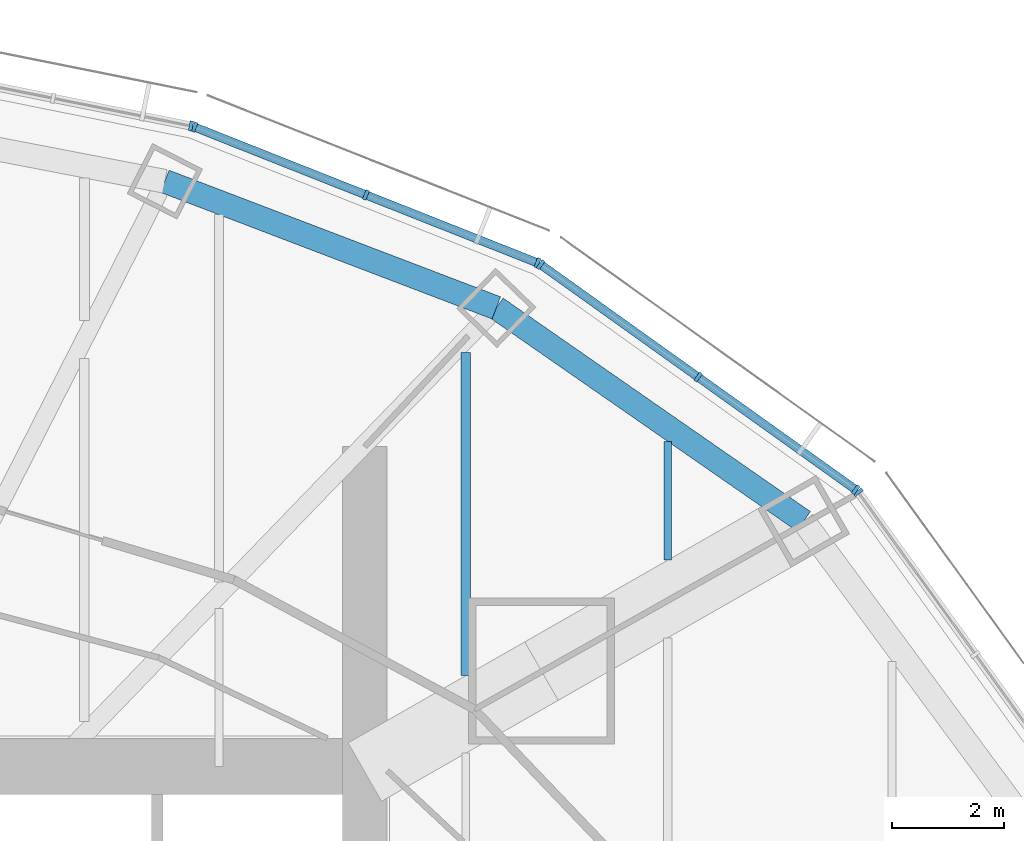
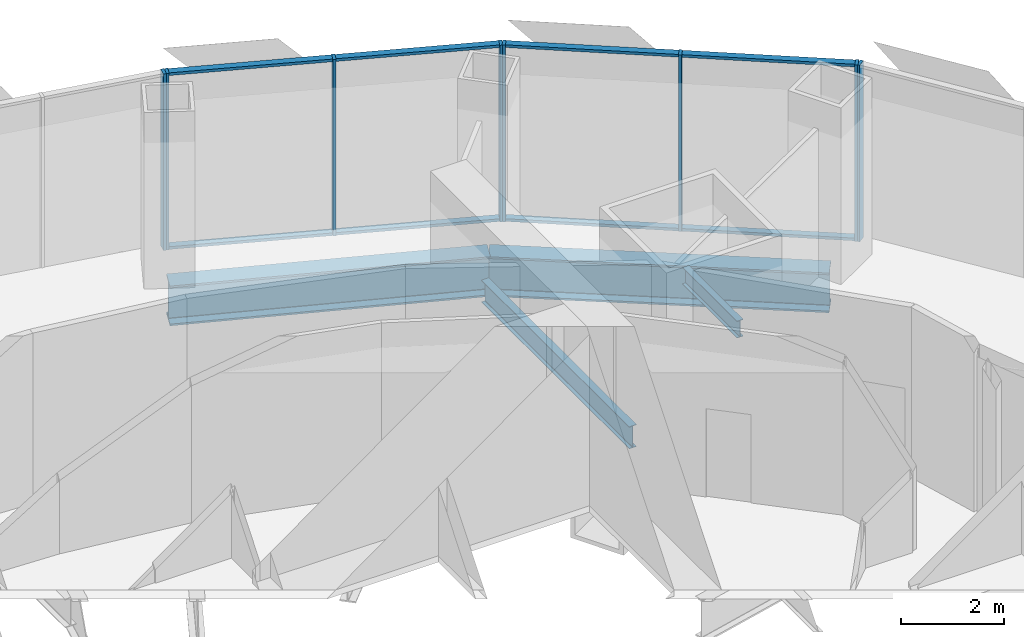
# One storey, part 9 of 17: 16 members, 4 beams, 4 elements without a shape of their own.
"""IFC4 building model written with IfcOpenShell, lengths in metres."""

from ifc_helpers import new_model, si_unit, direction, frame, origin, origin_2d, place, context, subcontext, project, spatial, rectangle, i_section, extrude, material, material_profile, profile_set, type_object, element, aggregate, save


model = new_model("IFC4")

# Units and contexts
model_context = context("Model", 3, precision=1e-05, world=origin(), true_north=direction((0.0, 1.0)))
body_context = subcontext(model_context, "Body", "Model", "MODEL_VIEW")
ifc_project = project(units=[si_unit("LENGTHUNIT", "METRE"), si_unit("AREAUNIT", "SQUARE_METRE"), si_unit("VOLUMEUNIT", "CUBIC_METRE"), si_unit("PLANEANGLEUNIT", "RADIAN"), si_unit("MASSUNIT", "GRAM", prefix="KILO")], contexts=[model_context])

# Site, building, storey
site_placement = place(None, origin())
site = spatial("IfcSite", under=ifc_project, at=site_placement, CompositionType="ELEMENT")
building_placement = place(site_placement, origin())
building = spatial("IfcBuilding", under=site, at=building_placement, Name="Lantaw Convention Tower", CompositionType="ELEMENT")
storey_placement = place(building_placement, frame((0.0, 0.0, 203.199951171875)))
storey = spatial("IfcBuildingStorey", under=building, at=storey_placement, Name="L47", CompositionType="ELEMENT", Elevation=203.199951171875)

# Beams
ifc_material_1 = material(Name="Steel ASTM A992", Category="steel")
ifc_material_profile_1 = material_profile(ifc_material_1, i_section(OverallWidth=0.424072265625, OverallDepth=0.947509765625, WebThickness=0.02392578125, FlangeThickness=0.042724609375, FilletRadius=0.012451171875, at=origin_2d()), Name="W36X302")
ifc_profile_set_1 = profile_set([ifc_material_profile_1], Name="Steel ASTM A992")
beam_type_1 = type_object("IfcBeamType", Name="Beam BC W36X302", PredefinedType="SPANDREL", material=ifc_profile_set_1)
beam_1_placement = place(storey_placement, frame((20.423095703125, 11.67041015625, -0.623779296875), z_axis=(-0.82135329406, 0.570419815869, 0.0), x_axis=(-0.570419815869, -0.82135329406, 0.0)))
element("IfcBeam", 1, at=beam_1_placement, inside=storey, type_object=beam_type_1, Name="Belt truss chord 3", PredefinedType="SPANDREL", context=body_context, shape_type="SweptSolid", body=[
    extrude(i_section(OverallWidth=0.424072265625, OverallDepth=0.947509765625, WebThickness=0.02392578125, FlangeThickness=0.042724609375, FilletRadius=0.012451171875, at=origin_2d()), origin(), (0.0, 0.0, 1.0), 6.67041015625),
])
beam_2_placement = place(storey_placement, frame((14.9443359375, 15.475341796875, -0.623779296875), z_axis=(-0.934234988, 0.356658081637, 0.0), x_axis=(-0.356658081637, -0.934234988, 0.0)))
element("IfcBeam", 2, at=beam_2_placement, inside=storey, type_object=beam_type_1, Name="Belt truss chord 4", PredefinedType="SPANDREL", context=body_context, shape_type="SweptSolid", body=[
    extrude(i_section(OverallWidth=0.424072265625, OverallDepth=0.947509765625, WebThickness=0.02392578125, FlangeThickness=0.042724609375, FilletRadius=0.012451171875, at=origin_2d()), origin(), (0.0, 0.0, 1.0), 6.32568359375),
])
ifc_material_profile_2 = material_profile(ifc_material_1, i_section(OverallWidth=0.140380859375, OverallDepth=0.40380859375, WebThickness=0.007080078125, FlangeThickness=0.01123046875, FilletRadius=0.01025390625, at=origin_2d()), Name="W16X31")
ifc_profile_set_2 = profile_set([ifc_material_profile_2], Name="Steel ASTM A992")
beam_type_2 = type_object("IfcBeamType", Name="Beam J W16X31", PredefinedType="JOIST", material=ifc_profile_set_2)
beam_3_placement = place(storey_placement, frame((18.0, 10.976806640625, -0.351806640625), z_axis=(0.0, 1.0, 0.0), x_axis=(-1.0, 0.0, 0.0)))
element("IfcBeam", 3, at=beam_3_placement, inside=storey, type_object=beam_type_2, Name="Floor joist", PredefinedType="JOIST", context=body_context, shape_type="SweptSolid", body=[
    extrude(i_section(OverallWidth=0.140380859375, OverallDepth=0.40380859375, WebThickness=0.007080078125, FlangeThickness=0.01123046875, FilletRadius=0.01025390625, at=origin_2d()), origin(), (0.0, 0.0, 1.0), 2.1181640625),
])
ifc_material_profile_3 = material_profile(ifc_material_1, i_section(OverallWidth=0.1650390625, OverallDepth=0.52587890625, WebThickness=0.0087890625, FlangeThickness=0.011474609375, FilletRadius=0.0126953125, at=origin_2d()), Name="W21X44")
ifc_profile_set_3 = profile_set([ifc_material_profile_3], Name="Steel ASTM A992")
beam_type_3 = type_object("IfcBeamType", Name="Beam J W21X44", PredefinedType="JOIST", material=ifc_profile_set_3)
beam_4_placement = place(storey_placement, frame((14.39990234375, 8.919677734375, -0.412841796875), z_axis=(0.0, 1.0, 0.0), x_axis=(-1.0, 0.0, 0.0)))
element("IfcBeam", 4, at=beam_4_placement, inside=storey, type_object=beam_type_3, Name="Floor joist", PredefinedType="JOIST", context=body_context, shape_type="SweptSolid", body=[
    extrude(i_section(OverallWidth=0.1650390625, OverallDepth=0.52587890625, WebThickness=0.0087890625, FlangeThickness=0.011474609375, FilletRadius=0.0126953125, at=origin_2d()), origin(), (0.0, 0.0, 1.0), 5.756103515625),
])

# Curtain wall, member
ifc_material_2 = material(Name="Aluminium framed curtain wall", Category="aluminium")
curtain_wall_type = type_object("IfcCurtainWallType", Name="Office curtain wall high rise, pale aluminium", PredefinedType="USERDEFINED", material=ifc_material_2)
curtain_wall_1_placement = place(storey_placement, origin())
curtain_wall_1 = element("IfcCurtainWall", 5, at=curtain_wall_1_placement, inside=storey, type_object=curtain_wall_type, Name="Office curtain wall high rise, pale aluminium L47", ObjectType="UNITISED CURTAIN WALL", PredefinedType="USERDEFINED")
ifc_material_3 = material(Name="Aluminium 6063-T6", Category="aluminium")
ifc_material_profile_4 = material_profile(ifc_material_3, rectangle(XDim=0.179931640625, YDim=0.06494140625, at=origin_2d()), Name="CW-O2 mullion 65x180")
ifc_profile_set_4 = profile_set([ifc_material_profile_4], Name="Aluminium 6063-T6")
member_type_1 = type_object("IfcMemberType", Name="CW-O2 mullion 65x180", PredefinedType="MULLION", material=ifc_profile_set_4)
member_1_placement = place(storey_placement, frame((21.397216796875, 12.189697265625, -0.14990234375), z_axis=(0.0, 0.0, 1.0), x_axis=(-0.810919559405, -0.585157643865, 0.0)))
member_1 = element("IfcMember", 6, at=member_1_placement, type_object=member_type_1, Name="CW-O2 mullion 3", PredefinedType="MULLION", context=body_context, shape_type="SweptSolid", body=[
    extrude(rectangle(XDim=0.179931640625, YDim=0.06494140625, at=origin_2d()), origin(), (0.0, 0.0, 1.0), 4.199951171875),
])
aggregate(curtain_wall_1, [member_1])

# Curtain wall, members
curtain_wall_2_placement = place(storey_placement, origin())
curtain_wall_2 = element("IfcCurtainWall", 7, at=curtain_wall_2_placement, inside=storey, type_object=curtain_wall_type, Name="Office curtain wall high rise, pale aluminium L47", ObjectType="UNITISED CURTAIN WALL", PredefinedType="USERDEFINED")
member_2_placement = place(storey_placement, frame((21.3515625, 12.23486328125, -0.14990234375), z_axis=(0.0, 0.0, 1.0), x_axis=(-0.581323487281, -0.813672540482, 0.0)))
member_2 = element("IfcMember", 8, at=member_2_placement, type_object=member_type_1, Name="CW-O2 mullion 1", PredefinedType="MULLION", context=body_context, shape_type="SweptSolid", body=[
    extrude(rectangle(XDim=0.179931640625, YDim=0.06494140625, at=origin_2d()), origin(), (0.0, 0.0, 1.0), 4.199951171875),
])
member_3_placement = place(storey_placement, frame((18.543212890625, 14.241455078125, -0.14990234375), z_axis=(0.0, 0.0, 1.0), x_axis=(-0.581323487281, -0.813672540482, 0.0)))
member_3 = element("IfcMember", 9, at=member_3_placement, type_object=member_type_1, Name="CW-O2 mullion 2", PredefinedType="MULLION", context=body_context, shape_type="SweptSolid", body=[
    extrude(rectangle(XDim=0.179931640625, YDim=0.06494140625, at=origin_2d()), origin(), (0.0, 0.0, 1.0), 4.199951171875),
])
member_4_placement = place(storey_placement, frame((15.73486328125, 16.247802734375, -0.14990234375), z_axis=(0.0, 0.0, 1.0), x_axis=(-0.581323487281, -0.813672540482, 0.0)))
member_4 = element("IfcMember", 10, at=member_4_placement, type_object=member_type_1, Name="CW-O2 mullion 3", PredefinedType="MULLION", context=body_context, shape_type="SweptSolid", body=[
    extrude(rectangle(XDim=0.179931640625, YDim=0.06494140625, at=origin_2d()), origin(), (0.0, 0.0, 1.0), 4.199951171875),
])

curtain_wall_3_placement = place(storey_placement, origin())
curtain_wall_3 = element("IfcCurtainWall", 11, at=curtain_wall_3_placement, inside=storey, type_object=curtain_wall_type, Name="Office curtain wall high rise, pale aluminium L47", ObjectType="UNITISED CURTAIN WALL", PredefinedType="USERDEFINED")
member_5_placement = place(storey_placement, frame((15.67822265625, 16.278564453125, -0.14990234375), z_axis=(0.0, 0.0, 1.0), x_axis=(-0.368162315252, -0.929761533743, 0.0)))
member_5 = element("IfcMember", 12, at=member_5_placement, type_object=member_type_1, Name="CW-O2 mullion 1", PredefinedType="MULLION", context=body_context, shape_type="SweptSolid", body=[
    extrude(rectangle(XDim=0.179931640625, YDim=0.06494140625, at=origin_2d()), origin(), (0.0, 0.0, 1.0), 4.199951171875),
])
member_6_placement = place(storey_placement, frame((12.621337890625, 17.4892578125, -0.14990234375), z_axis=(0.0, 0.0, 1.0), x_axis=(-0.368162315252, -0.929761533743, 0.0)))
member_6 = element("IfcMember", 13, at=member_6_placement, type_object=member_type_1, Name="CW-O2 mullion 2", PredefinedType="MULLION", context=body_context, shape_type="SweptSolid", body=[
    extrude(rectangle(XDim=0.179931640625, YDim=0.06494140625, at=origin_2d()), origin(), (0.0, 0.0, 1.0), 4.199951171875),
])
member_7_placement = place(storey_placement, frame((9.564208984375, 18.69970703125, -0.14990234375), z_axis=(0.0, 0.0, 1.0), x_axis=(-0.368162315252, -0.929761533743, 0.0)))
member_7 = element("IfcMember", 14, at=member_7_placement, type_object=member_type_1, Name="CW-O2 mullion 3", PredefinedType="MULLION", context=body_context, shape_type="SweptSolid", body=[
    extrude(rectangle(XDim=0.179931640625, YDim=0.06494140625, at=origin_2d()), origin(), (0.0, 0.0, 1.0), 4.199951171875),
])

# Curtain wall, member
curtain_wall_4_placement = place(storey_placement, origin())
curtain_wall_4 = element("IfcCurtainWall", 15, at=curtain_wall_4_placement, inside=storey, type_object=curtain_wall_type, Name="Office curtain wall high rise, pale aluminium L47", ObjectType="UNITISED CURTAIN WALL", PredefinedType="USERDEFINED")
member_8_placement = place(storey_placement, frame((9.502197265625, 18.718017578125, -0.14990234375), z_axis=(0.0, 0.0, 1.0), x_axis=(-0.197183095987, -0.980366679695, 0.0)))
member_8 = element("IfcMember", 16, at=member_8_placement, type_object=member_type_1, Name="CW-O2 mullion 1", PredefinedType="MULLION", context=body_context, shape_type="SweptSolid", body=[
    extrude(rectangle(XDim=0.179931640625, YDim=0.06494140625, at=origin_2d()), origin(), (0.0, 0.0, 1.0), 4.199951171875),
])
aggregate(curtain_wall_4, [member_8])

# Member
ifc_material_profile_5 = material_profile(ifc_material_3, rectangle(XDim=0.14990234375, YDim=0.06494140625, at=origin_2d()), Name="CW-O2 transom 65x150")
ifc_profile_set_5 = profile_set([ifc_material_profile_5], Name="Aluminium 6063-T6")
member_type_2 = type_object("IfcMemberType", Name="CW-O2 transom 65x150", PredefinedType="USERDEFINED", material=ifc_profile_set_5)
member_9_placement = place(storey_placement, frame((21.3251953125, 12.25390625, -0.117431640625), z_axis=(-0.813679882592, 0.581313210468, 0.0), x_axis=(-0.581313210468, -0.813679882592, 0.0)))
member_9 = element("IfcMember", 17, at=member_9_placement, type_object=member_type_2, Name="CW-O2 transom 1.1", ObjectType="TRANSOM", PredefinedType="USERDEFINED", context=body_context, shape_type="SweptSolid", body=[
    extrude(rectangle(XDim=0.14990234375, YDim=0.06494140625, at=origin_2d()), origin(), (0.0, 0.0, 1.0), 3.38623046875),
])

member_10_placement = place(storey_placement, frame((21.3251953125, 12.25390625, 4.017578125), z_axis=(-0.813679882592, 0.581313210468, 0.0), x_axis=(-0.581313210468, -0.813679882592, 0.0)))
member_10 = element("IfcMember", 18, at=member_10_placement, type_object=member_type_2, Name="CW-O2 transom 1.2", ObjectType="TRANSOM", PredefinedType="USERDEFINED", context=body_context, shape_type="SweptSolid", body=[
    extrude(rectangle(XDim=0.14990234375, YDim=0.06494140625, at=origin_2d()), origin(), (0.0, 0.0, 1.0), 3.38623046875),
])

member_11_placement = place(storey_placement, frame((18.516845703125, 14.26025390625, -0.117431640625), z_axis=(-0.813645780821, 0.581360940683, 0.0), x_axis=(-0.581360940683, -0.813645780821, 0.0)))
member_11 = element("IfcMember", 19, at=member_11_placement, type_object=member_type_2, Name="CW-O2 transom 2.1", ObjectType="TRANSOM", PredefinedType="USERDEFINED", context=body_context, shape_type="SweptSolid", body=[
    extrude(rectangle(XDim=0.14990234375, YDim=0.06494140625, at=origin_2d()), origin(), (0.0, 0.0, 1.0), 3.386474609375),
])

member_12_placement = place(storey_placement, frame((18.516845703125, 14.26025390625, 4.017578125), z_axis=(-0.813645780821, 0.581360940683, 0.0), x_axis=(-0.581360940683, -0.813645780821, 0.0)))
member_12 = element("IfcMember", 20, at=member_12_placement, type_object=member_type_2, Name="CW-O2 transom 2.2", ObjectType="TRANSOM", PredefinedType="USERDEFINED", context=body_context, shape_type="SweptSolid", body=[
    extrude(rectangle(XDim=0.14990234375, YDim=0.06494140625, at=origin_2d()), origin(), (0.0, 0.0, 1.0), 3.386474609375),
])

aggregate(curtain_wall_2, [member_2, member_3, member_4, member_9, member_10, member_11, member_12])

member_13_placement = place(storey_placement, frame((15.648193359375, 16.29052734375, -0.117431640625), z_axis=(-0.929740712354, 0.368214893495, 0.0), x_axis=(-0.368214893495, -0.929740712354, 0.0)))
member_13 = element("IfcMember", 21, at=member_13_placement, type_object=member_type_2, Name="CW-O2 transom 1.1", ObjectType="TRANSOM", PredefinedType="USERDEFINED", context=body_context, shape_type="SweptSolid", body=[
    extrude(rectangle(XDim=0.14990234375, YDim=0.06494140625, at=origin_2d()), origin(), (0.0, 0.0, 1.0), 3.22314453125),
])

member_14_placement = place(storey_placement, frame((15.648193359375, 16.29052734375, 4.017578125), z_axis=(-0.929740712354, 0.368214893495, 0.0), x_axis=(-0.368214893495, -0.929740712354, 0.0)))
member_14 = element("IfcMember", 22, at=member_14_placement, type_object=member_type_2, Name="CW-O2 transom 1.2", ObjectType="TRANSOM", PredefinedType="USERDEFINED", context=body_context, shape_type="SweptSolid", body=[
    extrude(rectangle(XDim=0.14990234375, YDim=0.06494140625, at=origin_2d()), origin(), (0.0, 0.0, 1.0), 3.22314453125),
])

member_15_placement = place(storey_placement, frame((12.591064453125, 17.501220703125, -0.117431640625), z_axis=(-0.929766642946, 0.368149412149, 0.0), x_axis=(-0.368149412149, -0.929766642946, 0.0)))
member_15 = element("IfcMember", 23, at=member_15_placement, type_object=member_type_2, Name="CW-O2 transom 2.1", ObjectType="TRANSOM", PredefinedType="USERDEFINED", context=body_context, shape_type="SweptSolid", body=[
    extrude(rectangle(XDim=0.14990234375, YDim=0.06494140625, at=origin_2d()), origin(), (0.0, 0.0, 1.0), 3.222900390625),
])

member_16_placement = place(storey_placement, frame((12.591064453125, 17.501220703125, 4.017578125), z_axis=(-0.929766642946, 0.368149412149, 0.0), x_axis=(-0.368149412149, -0.929766642946, 0.0)))
member_16 = element("IfcMember", 24, at=member_16_placement, type_object=member_type_2, Name="CW-O2 transom 2.2", ObjectType="TRANSOM", PredefinedType="USERDEFINED", context=body_context, shape_type="SweptSolid", body=[
    extrude(rectangle(XDim=0.14990234375, YDim=0.06494140625, at=origin_2d()), origin(), (0.0, 0.0, 1.0), 3.222900390625),
])

aggregate(curtain_wall_3, [member_5, member_6, member_7, member_13, member_14, member_15, member_16])

save(model, "model.ifc")
